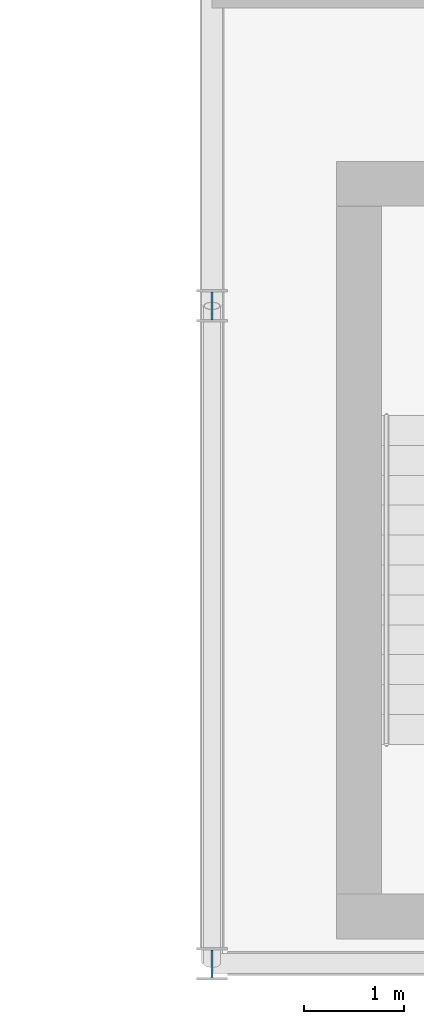
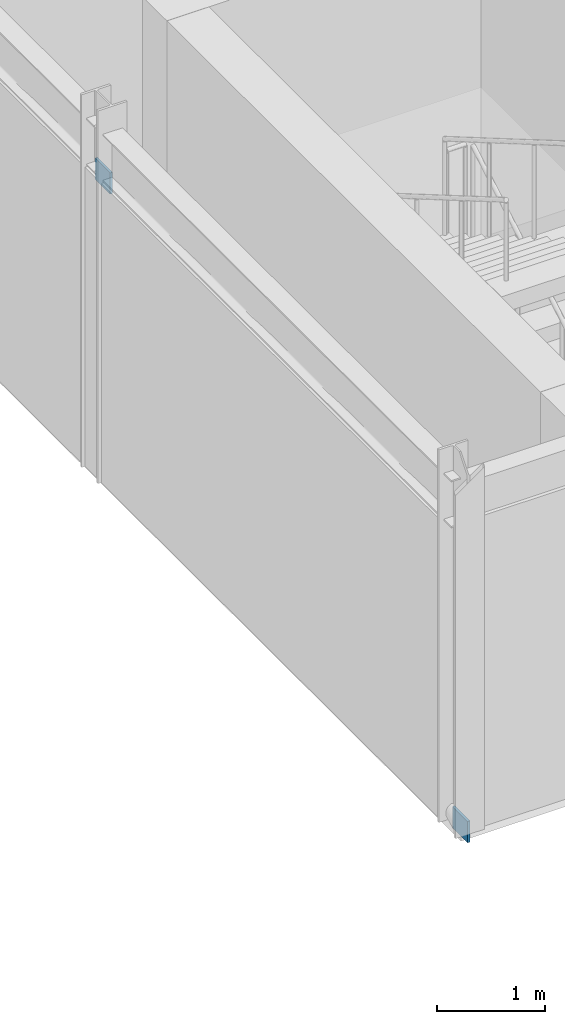
# One storey, part 87 of 106: 2 plates.
"""IFC4 building model written with IfcOpenShell, lengths in metres."""

from ifc_helpers import new_model, si_unit, direction, frame, origin, origin_2d, place, context, subcontext, project, spatial, rectangle, extrude, material, layer, layer_set, type_object, element, save


model = new_model("IFC4")

# Units and contexts
model_context = context("Model", 3, precision=1e-05, world=origin(), true_north=direction((0.0, 1.0)))
body_context = subcontext(model_context, "Body", "Model", "MODEL_VIEW")
ifc_project = project(units=[si_unit("LENGTHUNIT", "METRE"), si_unit("AREAUNIT", "SQUARE_METRE"), si_unit("VOLUMEUNIT", "CUBIC_METRE"), si_unit("PLANEANGLEUNIT", "RADIAN"), si_unit("MASSUNIT", "GRAM", prefix="KILO")], contexts=[model_context])

# Site, building, storey
site_placement = place(None, origin())
site = spatial("IfcSite", under=ifc_project, at=site_placement, CompositionType="ELEMENT")
building_placement = place(site_placement, origin())
building = spatial("IfcBuilding", under=site, at=building_placement, Name="Karori Crest Natural Sciences Institute", CompositionType="ELEMENT")
storey_placement = place(building_placement, frame((0.0, 0.0, 25.89990234375)))
storey = spatial("IfcBuildingStorey", under=building, at=storey_placement, Name="L06", CompositionType="ELEMENT", Elevation=25.89990234375)

# Plates
ifc_material = material(Name="Structural steel AS/NZS 3679.1 Grade 350", Category="steel")
ifc_layer = layer(ifc_material, 0.02490234375, Name="Structural steel AS/NZS 3679.1 Grade 350")
ifc_layer_set = layer_set([ifc_layer], Name="Structural steel AS/NZS 3679.1 Grade 350")
plate_type = type_object("IfcPlateType", Name="PLT-06-EL", PredefinedType="SHEET", material=ifc_layer_set)
for number, where, z_axis, x_axis, name in (
    (1, (103.60009765625, 0.800048828125, -0.10986328125), (0.0, 0.0, 1.0), (0.0, 1.0, 0.0), "Brace gusset plate EP-0412"),
    (2, (103.60009765625, 7.39990234375, 3.1982421875), (0.0, 0.0, 1.0), (0.0, 1.0, 0.0), "Brace gusset plate EP-0413"),
):
    element("IfcPlate", number, at=place(storey_placement, frame(where, z_axis=z_axis, x_axis=x_axis)), inside=storey, type_object=plate_type, Name=name, PredefinedType="SHEET", context=body_context, shape_type="SweptSolid", body=[
        extrude(rectangle(XDim=0.280029296875, YDim=0.02490234375, at=origin_2d()), origin(), (0.0, 0.0, 1.0), 0.239990234375),
    ])

save(model, "model.ifc")
